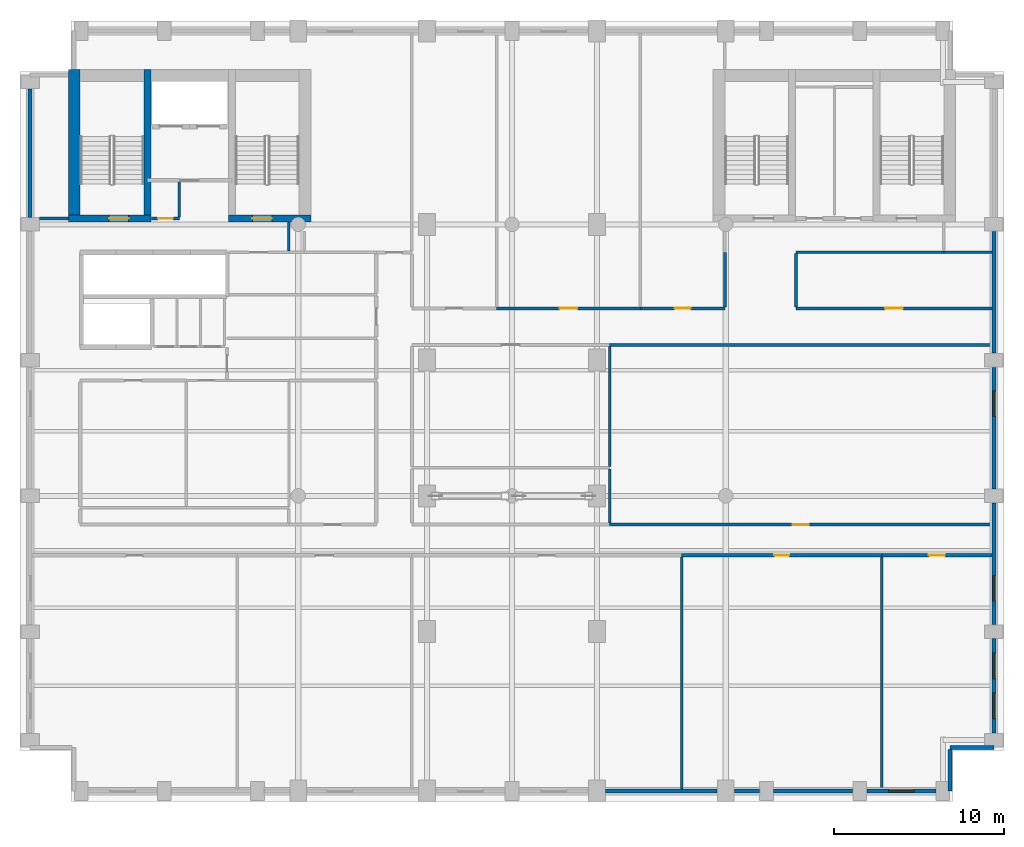
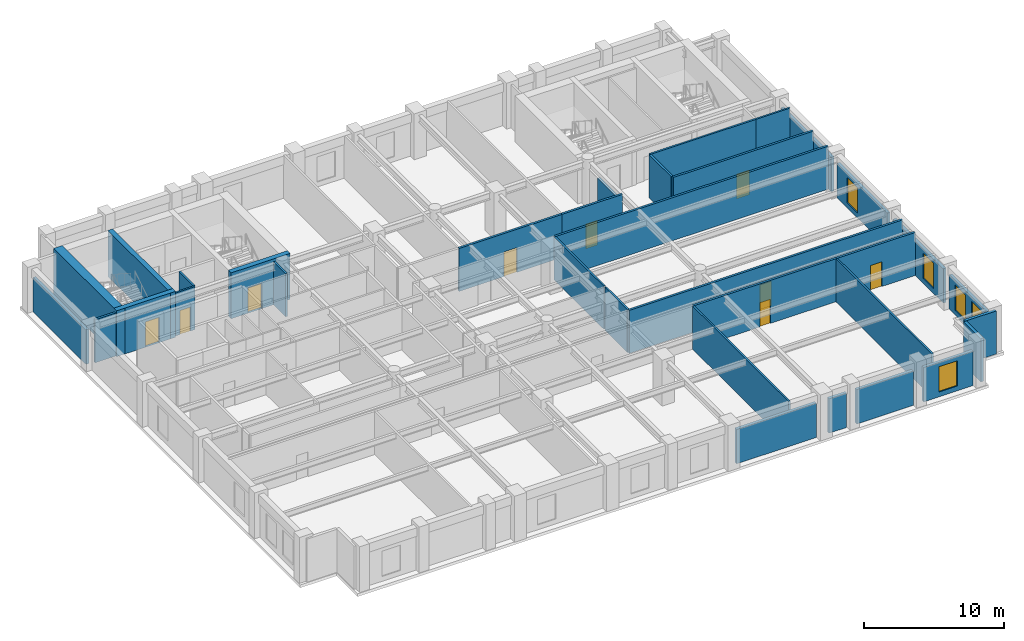
# One storey, part 7 of 11: 34 walls, 9 doors, 5 windows, 14 openings.
"""IFC4 building model written with IfcOpenShell, lengths in metres."""

from ifc_helpers import new_model, si_unit, direction, frame, frame_2d, origin, place, context, subcontext, project, spatial, rectangle, extrude, material, layer, layer_set, type_object, element, fill, save


model = new_model("IFC4")

# Units and contexts
model_context = context("Model", 3, precision=1e-05, world=origin(), true_north=direction((0.0, 1.0)))
body_context = subcontext(model_context, "Body", "Model", "MODEL_VIEW")
ifc_project = project(units=[si_unit("LENGTHUNIT", "METRE"), si_unit("AREAUNIT", "SQUARE_METRE"), si_unit("VOLUMEUNIT", "CUBIC_METRE"), si_unit("PLANEANGLEUNIT", "RADIAN"), si_unit("MASSUNIT", "GRAM", prefix="KILO")], contexts=[model_context])

# Site, building, storey
site_placement = place(None, origin())
site = spatial("IfcSite", under=ifc_project, at=site_placement, CompositionType="ELEMENT")
building_placement = place(site_placement, origin())
building = spatial("IfcBuilding", under=site, at=building_placement, Name="Sulina Concourse Tower", CompositionType="ELEMENT")
storey_placement = place(building_placement, frame((0.0, 0.0, 218.60009765625)))
storey = spatial("IfcBuildingStorey", under=building, at=storey_placement, Name="L53", CompositionType="ELEMENT", Elevation=218.60009765625)

# Walls
ifc_material_1 = material(Name="Precast concrete C50/60", Category="concrete")
ifc_layer_1 = layer(ifc_material_1, 0.239990234375)
ifc_layer_set_1 = layer_set([ifc_layer_1], Name="Precast concrete C50/60")
wall_type_1 = type_object("IfcWallType", Name="Crown Precast Masonry-Frame Facade Wall 240mm", PredefinedType="SOLIDWALL", material=ifc_layer_set_1)
wall_1_placement = place(storey_placement, frame((41.080078125, 0.60009765625, 0.0), z_axis=(0.0, 0.0, 1.0), x_axis=(-1.0, 0.0, 0.0)))
element("IfcWall", 1, at=wall_1_placement, inside=storey, type_object=wall_type_1, Name="L53 exterior precast wall S7", PredefinedType="SOLIDWALL", context=body_context, shape_type="SweptSolid", body=[
    extrude(rectangle(XDim=6.56005859375, YDim=0.239990234375, at=frame_2d((3.280029296875, 0.0))), origin(), (0.0, 0.0, 1.0), 3.0),
])
wall_2_placement = place(storey_placement, frame((43.580078125, 0.60009765625, 0.0), z_axis=(0.0, 0.0, 1.0), x_axis=(-1.0, 0.0, 0.0)))
element("IfcWall", 2, at=wall_2_placement, inside=storey, type_object=wall_type_1, Name="L53 exterior precast wall S8", PredefinedType="SOLIDWALL", context=body_context, shape_type="SweptSolid", body=[
    extrude(rectangle(XDim=1.4599609375, YDim=0.239990234375, at=frame_2d((0.72998046875, 0.0))), origin(), (0.0, 0.0, 1.0), 3.0),
])
wall_3_placement = place(storey_placement, frame((49.080078125, 0.60009765625, 0.0), z_axis=(0.0, 0.0, 1.0), x_axis=(-1.0, 0.0, 0.0)))
element("IfcWall", 3, at=wall_3_placement, inside=storey, type_object=wall_type_1, Name="L53 exterior precast wall S9", PredefinedType="SOLIDWALL", context=body_context, shape_type="SweptSolid", body=[
    extrude(rectangle(XDim=4.66015625, YDim=0.239990234375, at=frame_2d((2.330078125, 0.0))), origin(), (0.0, 0.0, 1.0), 3.0),
])

# Wall, opening, window
wall_4_placement = place(storey_placement, frame((53.97998046875, 0.60009765625, 0.0), z_axis=(0.0, 0.0, 1.0), x_axis=(-1.0, 0.0, 0.0)))
wall_4 = element("IfcWall", 4, at=wall_4_placement, inside=storey, type_object=wall_type_1, Name="L53 exterior precast wall S10", PredefinedType="SOLIDWALL", context=body_context, shape_type="SweptSolid", body=[
    extrude(rectangle(XDim=4.06005859375, YDim=0.239990234375, at=frame_2d((2.030029296875, 0.0))), origin(), (0.0, 0.0, 1.0), 3.0),
])
opening_1_placement = place(wall_4_placement, frame((1.280029296875, 0.0, 0.419921875)))
opening_1 = element("IfcOpeningElement", 5, at=opening_1_placement, cuts=wall_4, Name="Opening WN-71", PredefinedType="OPENING", context=body_context, shape_type="SweptSolid", body=[
    extrude(rectangle(XDim=1.5, YDim=2.199951171875, at=frame_2d((0.75, 1.10009765625))), frame((0.0, 0.1298828125, 0.0), z_axis=(0.0, -1.0, 0.0), x_axis=(1.0, 0.0, 0.0)), (0.0, 0.0, 1.0), 0.260009765625),
])
ifc_material_2 = material(Name="Low-E solar double glazing in bronze aluminium", Category="aluminium")
window_type = type_object("IfcWindowType", Name="Punched Masonry-Frame Window 1500x2200", PartitioningType="SINGLE_PANEL", PredefinedType="WINDOW", material=ifc_material_2)
window_1_placement = place(opening_1_placement, origin())
window_1 = element("IfcWindow", 6, at=window_1_placement, inside=storey, type_object=window_type, Name="L53 punched window S10-1", OverallHeight=2.199951171875, OverallWidth=1.5, PartitioningType="SINGLE_PANEL", PredefinedType="WINDOW", context=body_context, shape_type="SweptSolid", body=[
    extrude(rectangle(XDim=1.5, YDim=2.199951171875, at=frame_2d((0.75, 1.10009765625))), frame((0.0, 0.030029296875, 0.0), z_axis=(0.0, -1.0, 0.0), x_axis=(1.0, 0.0, 0.0)), (0.0, 0.0, 1.0), 0.06005859375),
])
fill(opening_1, window_1)

# Wall
wall_5_placement = place(storey_placement, frame((0.60009765625, 34.419921875, 0.0), z_axis=(0.0, 0.0, 1.0), x_axis=(0.0, 1.0, 0.0)))
element("IfcWall", 7, at=wall_5_placement, inside=storey, type_object=wall_type_1, Name="L53 exterior precast wall W5", PredefinedType="SOLIDWALL", context=body_context, shape_type="SweptSolid", body=[
    extrude(rectangle(XDim=7.56005859375, YDim=0.239990234375, at=frame_2d((3.780029296875, 0.0))), origin(), (0.0, 0.0, 1.0), 3.0),
])

# Wall, openings, windows
wall_6_placement = place(storey_placement, frame((57.39990234375, 9.580078125, 0.0), z_axis=(0.0, 0.0, 1.0), x_axis=(0.0, -1.0, 0.0)))
wall_6 = element("IfcWall", 8, at=wall_6_placement, inside=storey, type_object=wall_type_1, Name="L53 exterior precast wall E1", PredefinedType="SOLIDWALL", context=body_context, shape_type="SweptSolid", body=[
    extrude(rectangle(XDim=5.56005859375, YDim=0.239990234375, at=frame_2d((2.780029296875, 0.0))), origin(), (0.0, 0.0, 1.0), 3.0),
])
opening_2_placement = place(wall_6_placement, frame((0.853271484375, 0.0, 0.419921875)))
opening_2 = element("IfcOpeningElement", 9, at=opening_2_placement, cuts=wall_6, Name="Opening WN-71", PredefinedType="OPENING", context=body_context, shape_type="SweptSolid", body=[
    extrude(rectangle(XDim=1.5, YDim=2.199951171875, at=frame_2d((0.75, 1.10009765625))), frame((0.0, 0.1298828125, 0.0), z_axis=(0.0, -1.0, 0.0), x_axis=(1.0, 0.0, 0.0)), (0.0, 0.0, 1.0), 0.260009765625),
])
opening_3_placement = place(wall_6_placement, frame((3.206787109375, 0.0, 0.419921875)))
opening_3 = element("IfcOpeningElement", 10, at=opening_3_placement, cuts=wall_6, Name="Opening WN-71", PredefinedType="OPENING", context=body_context, shape_type="SweptSolid", body=[
    extrude(rectangle(XDim=1.5, YDim=2.199951171875, at=frame_2d((0.75, 1.10009765625))), frame((0.0, 0.1298828125, 0.0), z_axis=(0.0, -1.0, 0.0), x_axis=(1.0, 0.0, 0.0)), (0.0, 0.0, 1.0), 0.260009765625),
])
window_2_placement = place(opening_2_placement, origin())
window_2 = element("IfcWindow", 11, at=window_2_placement, inside=storey, type_object=window_type, Name="L53 punched window E1-1", OverallHeight=2.199951171875, OverallWidth=1.5, PartitioningType="SINGLE_PANEL", PredefinedType="WINDOW", context=body_context, shape_type="SweptSolid", body=[
    extrude(rectangle(XDim=1.5, YDim=2.199951171875, at=frame_2d((0.75, 1.10009765625))), frame((0.0, 0.030029296875, 0.0), z_axis=(0.0, -1.0, 0.0), x_axis=(1.0, 0.0, 0.0)), (0.0, 0.0, 1.0), 0.06005859375),
])
fill(opening_2, window_2)
window_3_placement = place(opening_3_placement, origin())
window_3 = element("IfcWindow", 12, at=window_3_placement, inside=storey, type_object=window_type, Name="L53 punched window E1-2", OverallHeight=2.199951171875, OverallWidth=1.5, PartitioningType="SINGLE_PANEL", PredefinedType="WINDOW", context=body_context, shape_type="SweptSolid", body=[
    extrude(rectangle(XDim=1.5, YDim=2.199951171875, at=frame_2d((0.75, 1.10009765625))), frame((0.0, 0.030029296875, 0.0), z_axis=(0.0, -1.0, 0.0), x_axis=(1.0, 0.0, 0.0)), (0.0, 0.0, 1.0), 0.06005859375),
])
fill(opening_3, window_3)

# Wall, opening, window
wall_7_placement = place(storey_placement, frame((57.39990234375, 17.580078125, 0.0), z_axis=(0.0, 0.0, 1.0), x_axis=(0.0, -1.0, 0.0)))
wall_7 = element("IfcWall", 13, at=wall_7_placement, inside=storey, type_object=wall_type_1, Name="L53 exterior precast wall E2", PredefinedType="SOLIDWALL", context=body_context, shape_type="SweptSolid", body=[
    extrude(rectangle(XDim=7.16015625, YDim=0.239990234375, at=frame_2d((3.580078125, 0.0))), origin(), (0.0, 0.0, 1.0), 3.0),
])
opening_4_placement = place(wall_7_placement, frame((4.273193359375, 0.0, 0.419921875)))
opening_4 = element("IfcOpeningElement", 14, at=opening_4_placement, cuts=wall_7, Name="Opening WN-71", PredefinedType="OPENING", context=body_context, shape_type="SweptSolid", body=[
    extrude(rectangle(XDim=1.5, YDim=2.199951171875, at=frame_2d((0.75, 1.10009765625))), frame((0.0, 0.1298828125, 0.0), z_axis=(0.0, -1.0, 0.0), x_axis=(1.0, 0.0, 0.0)), (0.0, 0.0, 1.0), 0.260009765625),
])
window_4_placement = place(opening_4_placement, origin())
window_4 = element("IfcWindow", 15, at=window_4_placement, inside=storey, type_object=window_type, Name="L53 punched window E2-1", OverallHeight=2.199951171875, OverallWidth=1.5, PartitioningType="SINGLE_PANEL", PredefinedType="WINDOW", context=body_context, shape_type="SweptSolid", body=[
    extrude(rectangle(XDim=1.5, YDim=2.199951171875, at=frame_2d((0.75, 1.10009765625))), frame((0.0, 0.030029296875, 0.0), z_axis=(0.0, -1.0, 0.0), x_axis=(1.0, 0.0, 0.0)), (0.0, 0.0, 1.0), 0.06005859375),
])
fill(opening_4, window_4)

wall_8_placement = place(storey_placement, frame((57.39990234375, 25.580078125, 0.0), z_axis=(0.0, 0.0, 1.0), x_axis=(0.0, -1.0, 0.0)))
wall_8 = element("IfcWall", 16, at=wall_8_placement, inside=storey, type_object=wall_type_1, Name="L53 exterior precast wall E3", PredefinedType="SOLIDWALL", context=body_context, shape_type="SweptSolid", body=[
    extrude(rectangle(XDim=7.16015625, YDim=0.239990234375, at=frame_2d((3.580078125, 0.0))), origin(), (0.0, 0.0, 1.0), 3.0),
])
opening_5_placement = place(wall_8_placement, frame((1.38671875, 0.0, 0.419921875)))
opening_5 = element("IfcOpeningElement", 17, at=opening_5_placement, cuts=wall_8, Name="Opening WN-71", PredefinedType="OPENING", context=body_context, shape_type="SweptSolid", body=[
    extrude(rectangle(XDim=1.5, YDim=2.199951171875, at=frame_2d((0.75, 1.10009765625))), frame((0.0, 0.1298828125, 0.0), z_axis=(0.0, -1.0, 0.0), x_axis=(1.0, 0.0, 0.0)), (0.0, 0.0, 1.0), 0.260009765625),
])
window_5_placement = place(opening_5_placement, origin())
window_5 = element("IfcWindow", 18, at=window_5_placement, inside=storey, type_object=window_type, Name="L53 punched window E3-1", OverallHeight=2.199951171875, OverallWidth=1.5, PartitioningType="SINGLE_PANEL", PredefinedType="WINDOW", context=body_context, shape_type="SweptSolid", body=[
    extrude(rectangle(XDim=1.5, YDim=2.199951171875, at=frame_2d((0.75, 1.10009765625))), frame((0.0, 0.030029296875, 0.0), z_axis=(0.0, -1.0, 0.0), x_axis=(1.0, 0.0, 0.0)), (0.0, 0.0, 1.0), 0.06005859375),
])
fill(opening_5, window_5)

# Walls
wall_9_placement = place(storey_placement, frame((57.39990234375, 33.580078125, 0.0), z_axis=(0.0, 0.0, 1.0), x_axis=(0.0, -1.0, 0.0)))
element("IfcWall", 19, at=wall_9_placement, inside=storey, type_object=wall_type_1, Name="L53 exterior precast wall E4", PredefinedType="SOLIDWALL", context=body_context, shape_type="SweptSolid", body=[
    extrude(rectangle(XDim=7.16015625, YDim=0.239990234375, at=frame_2d((3.580078125, 0.0))), origin(), (0.0, 0.0, 1.0), 3.0),
])
wall_10_placement = place(storey_placement, frame((57.39990234375, 3.179931640625, 0.0), z_axis=(0.0, 0.0, 1.0), x_axis=(-1.0, 0.0, 0.0)))
element("IfcWall", 20, at=wall_10_placement, inside=storey, type_object=wall_type_1, Name="L53 exterior precast wall CSE1", PredefinedType="SOLIDWALL", context=body_context, shape_type="SweptSolid", body=[
    extrude(rectangle(XDim=2.579833984375, YDim=0.239990234375, at=frame_2d((1.2900390625, 0.0))), origin(), (0.0, 0.0, 1.0), 3.75),
])
wall_11_placement = place(storey_placement, frame((54.820068359375, 3.054931640625, 0.0), z_axis=(0.0, 0.0, 1.0), x_axis=(0.0, -1.0, 0.0)))
element("IfcWall", 21, at=wall_11_placement, inside=storey, type_object=wall_type_1, Name="L53 exterior precast wall CSE2", PredefinedType="SOLIDWALL", context=body_context, shape_type="SweptSolid", body=[
    extrude(rectangle(XDim=2.454833984375, YDim=0.239990234375, at=frame_2d((1.2275390625, 0.0))), origin(), (0.0, 0.0, 1.0), 3.75),
])
ifc_material_3 = material(Name="Gypsum board on steel stud", Category="steel")
ifc_layer_2 = layer(ifc_material_3, 0.14990234375)
ifc_layer_set_2 = layer_set([ifc_layer_2], Name="Gypsum board on steel stud")
wall_type_2 = type_object("IfcWallType", Name="Inter-Tenancy Acoustic Partition 150mm", PredefinedType="PARTITIONING", material=ifc_layer_set_2)
wall_12_placement = place(storey_placement, frame((45.75, 32.35009765625, 0.0), z_axis=(0.0, 0.0, 1.0), x_axis=(1.0, 0.0, 0.0)))
element("IfcWall", 22, at=wall_12_placement, inside=storey, type_object=wall_type_2, Name="L53 interior partition 032", PredefinedType="PARTITIONING", context=body_context, shape_type="SweptSolid", body=[
    extrude(rectangle(XDim=8.699951171875, YDim=0.14990234375, at=frame_2d((4.35009765625, 0.0))), origin(), (0.0, 0.0, 1.0), 3.75),
])
wall_13_placement = place(storey_placement, frame((54.449951171875, 32.35009765625, 0.0), z_axis=(0.0, 0.0, 1.0), x_axis=(1.0, 0.0, 0.0)))
element("IfcWall", 23, at=wall_13_placement, inside=storey, type_object=wall_type_2, Name="L53 interior partition 033", PredefinedType="PARTITIONING", context=body_context, shape_type="SweptSolid", body=[
    extrude(rectangle(XDim=2.830078125, YDim=0.14990234375, at=frame_2d((1.4150390625, 0.0))), origin(), (0.0, 0.0, 1.0), 3.75),
])

# Wall, opening, door
wall_14_placement = place(storey_placement, frame((7.75, 34.35009765625, 0.0), z_axis=(0.0, 0.0, 1.0), x_axis=(1.0, 0.0, 0.0)))
wall_14 = element("IfcWall", 24, at=wall_14_placement, inside=storey, type_object=wall_type_2, Name="L53 interior partition 035", PredefinedType="PARTITIONING", context=body_context, shape_type="SweptSolid", body=[
    extrude(rectangle(XDim=1.64990234375, YDim=0.14990234375, at=frame_2d((0.824951171875, 0.0))), origin(), (0.0, 0.0, 1.0), 3.75),
])
opening_6_placement = place(wall_14_placement, frame((0.385009765625, 0.0, 0.0)))
opening_6 = element("IfcOpeningElement", 25, at=opening_6_placement, cuts=wall_14, Name="Opening DR-38", PredefinedType="OPENING", context=body_context, shape_type="SweptSolid", body=[
    extrude(rectangle(XDim=0.8798828125, YDim=2.10009765625, at=frame_2d((0.43994140625, 1.050048828125))), frame((0.0, 0.0849609375, 0.0), z_axis=(0.0, -1.0, 0.0), x_axis=(1.0, 0.0, 0.0)), (0.0, 0.0, 1.0), 0.169921875),
])
ifc_material_4 = material(Name="Galvanised steel acoustic fire leaf", Category="steel")
ifc_layer_3 = layer(ifc_material_4, 0.050048828125)
ifc_layer_set_3 = layer_set([ifc_layer_3], Name="Galvanised steel acoustic fire leaf")
door_type_1 = type_object("IfcDoorType", Name="Service Riser Fire Door 880x2100", OperationType="NOTDEFINED", PredefinedType="DOOR", material=ifc_layer_set_3)
door_1_placement = place(opening_6_placement, origin())
door_1 = element("IfcDoor", 26, at=door_1_placement, inside=storey, type_object=door_type_1, Name="L53 interior door L53-CLN-N", OperationType="SINGLE_SWING_RIGHT", OverallHeight=2.10009765625, OverallWidth=0.8798828125, PredefinedType="DOOR", context=body_context, shape_type="SweptSolid", body=[
    extrude(rectangle(XDim=0.8798828125, YDim=2.10009765625, at=frame_2d((0.43994140625, 1.050048828125))), frame((0.0, 0.02490234375, 0.0), z_axis=(0.0, -1.0, 0.0), x_axis=(1.0, 0.0, 0.0)), (0.0, 0.0, 1.0), 0.050048828125),
])
fill(opening_6, door_1)

# Walls
wall_15_placement = place(storey_placement, frame((9.39990234375, 34.425048828125, 0.0), z_axis=(0.0, 0.0, 1.0), x_axis=(0.0, 1.0, 0.0)))
element("IfcWall", 27, at=wall_15_placement, inside=storey, type_object=wall_type_2, Name="L53 interior partition 041", PredefinedType="PARTITIONING", context=body_context, shape_type="SweptSolid", body=[
    extrude(rectangle(XDim=2.06494140625, YDim=0.14990234375, at=frame_2d((1.032470703125, 0.0))), origin(), (0.0, 0.0, 1.0), 3.75),
])
wall_16_placement = place(storey_placement, frame((15.85009765625, 32.425048828125, 0.0), z_axis=(0.0, 0.0, 1.0), x_axis=(0.0, 1.0, 0.0)))
element("IfcWall", 28, at=wall_16_placement, inside=storey, type_object=wall_type_2, Name="L53 interior partition 049", PredefinedType="PARTITIONING", context=body_context, shape_type="SweptSolid", body=[
    extrude(rectangle(XDim=1.724853515625, YDim=0.14990234375, at=frame_2d((0.8623046875, 0.0))), origin(), (0.0, 0.0, 1.0), 3.75),
])
wall_17_placement = place(storey_placement, frame((34.75, 16.389892578125, 0.0), z_axis=(0.0, 0.0, 1.0), x_axis=(0.0, 1.0, 0.0)))
element("IfcWall", 29, at=wall_17_placement, inside=storey, type_object=wall_type_2, Name="L53 interior partition 061", PredefinedType="PARTITIONING", context=body_context, shape_type="SweptSolid", body=[
    extrude(rectangle(XDim=3.18505859375, YDim=0.14990234375, at=frame_2d((1.592529296875, 0.0))), origin(), (0.0, 0.0, 1.0), 3.75),
])
wall_18_placement = place(storey_placement, frame((34.75, 19.72509765625, 0.0), z_axis=(0.0, 0.0, 1.0), x_axis=(0.0, 1.0, 0.0)))
element("IfcWall", 30, at=wall_18_placement, inside=storey, type_object=wall_type_2, Name="L53 interior partition 062", PredefinedType="PARTITIONING", context=body_context, shape_type="SweptSolid", body=[
    extrude(rectangle(XDim=7.0849609375, YDim=0.14990234375, at=frame_2d((3.54248046875, 0.0))), origin(), (0.0, 0.0, 1.0), 3.75),
])
for number, where, z_axis, x_axis, name in (
    (31, (39.0, 0.719970703125, 0.0), (0.0, 0.0, 1.0), (0.0, 1.0, 0.0), "L53 interior partition 064"),
    (32, (50.800048828125, 0.719970703125, 0.0), (0.0, 0.0, 1.0), (0.0, 1.0, 0.0), "L53 interior partition 070"),
):
    element("IfcWall", number, at=place(storey_placement, frame(where, z_axis=z_axis, x_axis=x_axis)), inside=storey, type_object=wall_type_2, Name=name, PredefinedType="PARTITIONING", context=body_context, shape_type="SweptSolid", body=[
        extrude(rectangle(XDim=13.68994140625, YDim=0.14990234375, at=frame_2d((6.844970703125, 0.0))), origin(), (0.0, 0.0, 1.0), 3.75),
    ])

# Wall, opening, door
ifc_material_5 = material(Name="Gypsum board on steel stud", Category="steel")
ifc_layer_4 = layer(ifc_material_5, 0.179931640625)
ifc_layer_set_4 = layer_set([ifc_layer_4], Name="Gypsum board on steel stud")
wall_type_3 = type_object("IfcWallType", Name="Protected Corridor & Riser Partition 180mm", PredefinedType="PARTITIONING", material=ifc_layer_set_4)
wall_19_placement = place(storey_placement, frame((39.0, 14.5, 0.0), z_axis=(0.0, 0.0, 1.0), x_axis=(1.0, 0.0, 0.0)))
wall_19 = element("IfcWall", 33, at=wall_19_placement, inside=storey, type_object=wall_type_3, Name="L53 interior partition 004", PredefinedType="PARTITIONING", context=body_context, shape_type="SweptSolid", body=[
    extrude(rectangle(XDim=11.800048828125, YDim=0.179931640625, at=frame_2d((5.89990234375, 0.0))), origin(), (0.0, 0.0, 1.0), 3.75),
])
opening_7_placement = place(wall_19_placement, frame((5.4599609375, 0.0, 0.0)))
opening_7 = element("IfcOpeningElement", 34, at=opening_7_placement, cuts=wall_19, Name="Opening DR-38", PredefinedType="OPENING", context=body_context, shape_type="SweptSolid", body=[
    extrude(rectangle(XDim=0.8798828125, YDim=2.10009765625, at=frame_2d((0.43994140625, 1.050048828125))), frame((0.0, 0.099853515625, 0.0), z_axis=(0.0, -1.0, 0.0), x_axis=(1.0, 0.0, 0.0)), (0.0, 0.0, 1.0), 0.199951171875),
])
door_2_placement = place(opening_7_placement, origin())
door_2 = element("IfcDoor", 35, at=door_2_placement, inside=storey, type_object=door_type_1, Name="L53 interior door L53-S04", OperationType="SINGLE_SWING_RIGHT", OverallHeight=2.10009765625, OverallWidth=0.8798828125, PredefinedType="DOOR", context=body_context, shape_type="SweptSolid", body=[
    extrude(rectangle(XDim=0.8798828125, YDim=2.10009765625, at=frame_2d((0.43994140625, 1.050048828125))), frame((0.0, 0.02490234375, 0.0), z_axis=(0.0, -1.0, 0.0), x_axis=(1.0, 0.0, 0.0)), (0.0, 0.0, 1.0), 0.050048828125),
])
fill(opening_7, door_2)

wall_20_placement = place(storey_placement, frame((50.800048828125, 14.5, 0.0), z_axis=(0.0, 0.0, 1.0), x_axis=(1.0, 0.0, 0.0)))
wall_20 = element("IfcWall", 36, at=wall_20_placement, inside=storey, type_object=wall_type_3, Name="L53 interior partition 005", PredefinedType="PARTITIONING", context=body_context, shape_type="SweptSolid", body=[
    extrude(rectangle(XDim=6.47998046875, YDim=0.179931640625, at=frame_2d((3.239990234375, 0.0))), origin(), (0.0, 0.0, 1.0), 3.75),
])
opening_8_placement = place(wall_20_placement, frame((2.764892578125, 0.0, 0.0)))
opening_8 = element("IfcOpeningElement", 37, at=opening_8_placement, cuts=wall_20, Name="Opening DR-19", PredefinedType="OPENING", context=body_context, shape_type="SweptSolid", body=[
    extrude(rectangle(XDim=0.949951171875, YDim=2.14990234375, at=frame_2d((0.47509765625, 1.074951171875))), frame((0.0, 0.099853515625, 0.0), z_axis=(0.0, -1.0, 0.0), x_axis=(1.0, 0.0, 0.0)), (0.0, 0.0, 1.0), 0.199951171875),
])
ifc_material_6 = material(Name="Oak-veneered acoustic timber leaf", Category="wood")
ifc_layer_5 = layer(ifc_material_6, 0.050048828125)
ifc_layer_set_5 = layer_set([ifc_layer_5], Name="Oak-veneered acoustic timber leaf")
door_type_2 = type_object("IfcDoorType", Name="Cellular Office & Meeting Door 950x2150", OperationType="NOTDEFINED", PredefinedType="DOOR", material=ifc_layer_set_5)
door_3_placement = place(opening_8_placement, origin())
door_3 = element("IfcDoor", 38, at=door_3_placement, inside=storey, type_object=door_type_2, Name="L53 interior door L53-S05", OperationType="SINGLE_SWING_LEFT", OverallHeight=2.14990234375, OverallWidth=0.949951171875, PredefinedType="DOOR", context=body_context, shape_type="SweptSolid", body=[
    extrude(rectangle(XDim=0.949951171875, YDim=2.14990234375, at=frame_2d((0.47509765625, 1.074951171875))), frame((0.0, 0.02490234375, 0.0), z_axis=(0.0, -1.0, 0.0), x_axis=(1.0, 0.0, 0.0)), (0.0, 0.0, 1.0), 0.050048828125),
])
fill(opening_8, door_3)

wall_21_placement = place(storey_placement, frame((34.75, 16.300048828125, 0.0), z_axis=(0.0, 0.0, 1.0), x_axis=(1.0, 0.0, 0.0)))
wall_21 = element("IfcWall", 39, at=wall_21_placement, inside=storey, type_object=wall_type_3, Name="L53 interior partition 009", PredefinedType="PARTITIONING", context=body_context, shape_type="SweptSolid", body=[
    extrude(rectangle(XDim=22.530029296875, YDim=0.179931640625, at=frame_2d((11.26513671875, 0.0))), origin(), (0.0, 0.0, 1.0), 3.75),
])
opening_9_placement = place(wall_21_placement, frame((10.7900390625, 0.0, 0.0)))
opening_9 = element("IfcOpeningElement", 40, at=opening_9_placement, cuts=wall_21, Name="Opening DR-19", PredefinedType="OPENING", context=body_context, shape_type="SweptSolid", body=[
    extrude(rectangle(XDim=0.949951171875, YDim=2.14990234375, at=frame_2d((0.47509765625, 1.074951171875))), frame((0.0, 0.099853515625, 0.0), z_axis=(0.0, -1.0, 0.0), x_axis=(1.0, 0.0, 0.0)), (0.0, 0.0, 1.0), 0.199951171875),
])
door_4_placement = place(opening_9_placement, origin())
door_4 = element("IfcDoor", 41, at=door_4_placement, inside=storey, type_object=door_type_2, Name="L53 interior door L53-UBT-ERM", OperationType="SINGLE_SWING_LEFT", OverallHeight=2.14990234375, OverallWidth=0.949951171875, PredefinedType="DOOR", context=body_context, shape_type="SweptSolid", body=[
    extrude(rectangle(XDim=0.949951171875, YDim=2.14990234375, at=frame_2d((0.47509765625, 1.074951171875))), frame((0.0, 0.02490234375, 0.0), z_axis=(0.0, -1.0, 0.0), x_axis=(1.0, 0.0, 0.0)), (0.0, 0.0, 1.0), 0.050048828125),
])
fill(opening_9, door_4)

# Wall
wall_22_placement = place(storey_placement, frame((34.75, 26.89990234375, 0.0), z_axis=(0.0, 0.0, 1.0), x_axis=(1.0, 0.0, 0.0)))
element("IfcWall", 42, at=wall_22_placement, inside=storey, type_object=wall_type_3, Name="L53 interior partition 021", PredefinedType="PARTITIONING", context=body_context, shape_type="SweptSolid", body=[
    extrude(rectangle(XDim=22.530029296875, YDim=0.179931640625, at=frame_2d((11.26513671875, 0.0))), origin(), (0.0, 0.0, 1.0), 3.75),
])

# Wall, opening, door
wall_23_placement = place(storey_placement, frame((28.090087890625, 29.050048828125, 0.0), z_axis=(0.0, 0.0, 1.0), x_axis=(1.0, 0.0, 0.0)))
wall_23 = element("IfcWall", 43, at=wall_23_placement, inside=storey, type_object=wall_type_3, Name="L53 interior partition 024", PredefinedType="PARTITIONING", context=body_context, shape_type="SweptSolid", body=[
    extrude(rectangle(XDim=8.469970703125, YDim=0.179931640625, at=frame_2d((4.23486328125, 0.0))), origin(), (0.0, 0.0, 1.0), 3.75),
])
opening_10_placement = place(wall_23_placement, frame((3.7099609375, 0.0, 0.0)))
opening_10 = element("IfcOpeningElement", 44, at=opening_10_placement, cuts=wall_23, Name="Opening DR-37", PredefinedType="OPENING", context=body_context, shape_type="SweptSolid", body=[
    extrude(rectangle(XDim=1.050048828125, YDim=2.14990234375, at=frame_2d((0.52490234375, 1.074951171875))), frame((0.0, 0.099853515625, 0.0), z_axis=(0.0, -1.0, 0.0), x_axis=(1.0, 0.0, 0.0)), (0.0, 0.0, 1.0), 0.199951171875),
])
ifc_material_7 = material(Name="Oak-veneered fire door leaf")
ifc_layer_6 = layer(ifc_material_7, 0.050048828125)
ifc_layer_set_6 = layer_set([ifc_layer_6], Name="Oak-veneered fire door leaf")
door_type_3 = type_object("IfcDoorType", Name="Tenant Suite Entrance Fire Door 1050x2150", OperationType="NOTDEFINED", PredefinedType="DOOR", material=ifc_layer_set_6)
door_5_placement = place(opening_10_placement, origin())
door_5 = element("IfcDoor", 45, at=door_5_placement, inside=storey, type_object=door_type_3, Name="L53 interior door L53-NC2", OperationType="SINGLE_SWING_LEFT", OverallHeight=2.14990234375, OverallWidth=1.050048828125, PredefinedType="DOOR", context=body_context, shape_type="SweptSolid", body=[
    extrude(rectangle(XDim=1.050048828125, YDim=2.14990234375, at=frame_2d((0.52490234375, 1.074951171875))), frame((0.0, 0.02490234375, 0.0), z_axis=(0.0, -1.0, 0.0), x_axis=(1.0, 0.0, 0.0)), (0.0, 0.0, 1.0), 0.050048828125),
])
fill(opening_10, door_5)

wall_24_placement = place(storey_placement, frame((36.56005859375, 29.050048828125, 0.0), z_axis=(0.0, 0.0, 1.0), x_axis=(1.0, 0.0, 0.0)))
wall_24 = element("IfcWall", 46, at=wall_24_placement, inside=storey, type_object=wall_type_3, Name="L53 interior partition 025", PredefinedType="PARTITIONING", context=body_context, shape_type="SweptSolid", body=[
    extrude(rectangle(XDim=4.989990234375, YDim=0.179931640625, at=frame_2d((2.4951171875, 0.0))), origin(), (0.0, 0.0, 1.0), 3.75),
])
opening_11_placement = place(wall_24_placement, frame((2.02001953125, 0.0, 0.0)))
opening_11 = element("IfcOpeningElement", 47, at=opening_11_placement, cuts=wall_24, Name="Opening DR-19", PredefinedType="OPENING", context=body_context, shape_type="SweptSolid", body=[
    extrude(rectangle(XDim=0.949951171875, YDim=2.14990234375, at=frame_2d((0.47509765625, 1.074951171875))), frame((0.0, 0.099853515625, 0.0), z_axis=(0.0, -1.0, 0.0), x_axis=(1.0, 0.0, 0.0)), (0.0, 0.0, 1.0), 0.199951171875),
])
door_6_placement = place(opening_11_placement, origin())
door_6 = element("IfcDoor", 48, at=door_6_placement, inside=storey, type_object=door_type_2, Name="L53 interior door L53-NC3", OperationType="SINGLE_SWING_RIGHT", OverallHeight=2.14990234375, OverallWidth=0.949951171875, PredefinedType="DOOR", context=body_context, shape_type="SweptSolid", body=[
    extrude(rectangle(XDim=0.949951171875, YDim=2.14990234375, at=frame_2d((0.47509765625, 1.074951171875))), frame((0.0, 0.02490234375, 0.0), z_axis=(0.0, -1.0, 0.0), x_axis=(1.0, 0.0, 0.0)), (0.0, 0.0, 1.0), 0.050048828125),
])
fill(opening_11, door_6)

wall_25_placement = place(storey_placement, frame((45.75, 29.050048828125, 0.0), z_axis=(0.0, 0.0, 1.0), x_axis=(1.0, 0.0, 0.0)))
wall_25 = element("IfcWall", 49, at=wall_25_placement, inside=storey, type_object=wall_type_3, Name="L53 interior partition 026", PredefinedType="PARTITIONING", context=body_context, shape_type="SweptSolid", body=[
    extrude(rectangle(XDim=11.530029296875, YDim=0.179931640625, at=frame_2d((5.76513671875, 0.0))), origin(), (0.0, 0.0, 1.0), 3.75),
])
opening_12_placement = place(wall_25_placement, frame((5.239990234375, 0.0, 0.0)))
opening_12 = element("IfcOpeningElement", 50, at=opening_12_placement, cuts=wall_25, Name="Opening DR-37", PredefinedType="OPENING", context=body_context, shape_type="SweptSolid", body=[
    extrude(rectangle(XDim=1.050048828125, YDim=2.14990234375, at=frame_2d((0.52490234375, 1.074951171875))), frame((0.0, 0.099853515625, 0.0), z_axis=(0.0, -1.0, 0.0), x_axis=(1.0, 0.0, 0.0)), (0.0, 0.0, 1.0), 0.199951171875),
])
door_7_placement = place(opening_12_placement, origin())
door_7 = element("IfcDoor", 51, at=door_7_placement, inside=storey, type_object=door_type_3, Name="L53 interior door L53-NE1", OperationType="SINGLE_SWING_LEFT", OverallHeight=2.14990234375, OverallWidth=1.050048828125, PredefinedType="DOOR", context=body_context, shape_type="SweptSolid", body=[
    extrude(rectangle(XDim=1.050048828125, YDim=2.14990234375, at=frame_2d((0.52490234375, 1.074951171875))), frame((0.0, 0.02490234375, 0.0), z_axis=(0.0, -1.0, 0.0), x_axis=(1.0, 0.0, 0.0)), (0.0, 0.0, 1.0), 0.050048828125),
])
fill(opening_12, door_7)

# Walls
wall_26_placement = place(storey_placement, frame((1.14990234375, 34.35009765625, 0.0), z_axis=(0.0, 0.0, 1.0), x_axis=(1.0, 0.0, 0.0)))
element("IfcWall", 52, at=wall_26_placement, inside=storey, type_object=wall_type_3, Name="L53 interior partition 034", PredefinedType="PARTITIONING", context=body_context, shape_type="SweptSolid", body=[
    extrude(rectangle(XDim=1.7001953125, YDim=0.179931640625, at=frame_2d((0.85009765625, 0.0))), origin(), (0.0, 0.0, 1.0), 3.75),
])
wall_27_placement = place(storey_placement, frame((41.550048828125, 29.139892578125, 0.0), z_axis=(0.0, 0.0, 1.0), x_axis=(0.0, 1.0, 0.0)))
element("IfcWall", 53, at=wall_27_placement, inside=storey, type_object=wall_type_3, Name="L53 interior partition 065", PredefinedType="PARTITIONING", context=body_context, shape_type="SweptSolid", body=[
    extrude(rectangle(XDim=3.210205078125, YDim=0.179931640625, at=frame_2d((1.60498046875, 0.0))), origin(), (0.0, 0.0, 1.0), 3.14501953125),
])
wall_28_placement = place(storey_placement, frame((45.75, 29.139892578125, 0.0), z_axis=(0.0, 0.0, 1.0), x_axis=(0.0, 1.0, 0.0)))
element("IfcWall", 54, at=wall_28_placement, inside=storey, type_object=wall_type_3, Name="L53 interior partition 068", PredefinedType="PARTITIONING", context=body_context, shape_type="SweptSolid", body=[
    extrude(rectangle(XDim=3.135009765625, YDim=0.179931640625, at=frame_2d((1.5673828125, 0.0))), origin(), (0.0, 0.0, 1.0), 3.75),
])

# Wall, opening, door
ifc_material_8 = material(Name="Concrete C60/75", Category="concrete")
ifc_layer_7 = layer(ifc_material_8, 0.39990234375)
ifc_layer_set_7 = layer_set([ifc_layer_7], Name="Concrete C60/75")
wall_type_4 = type_object("IfcWallType", Name="Protected Stair Core Shear Wall 400mm", PredefinedType="SHEAR", material=ifc_layer_set_7)
wall_29_placement = place(storey_placement, frame((2.85009765625, 34.35009765625, 0.0), z_axis=(0.0, 0.0, 1.0), x_axis=(1.0, 0.0, 0.0)))
wall_29 = element("IfcWall", 55, at=wall_29_placement, inside=storey, type_object=wall_type_4, Name="L53 west core shear wall CW-WS1", PredefinedType="SHEAR", context=body_context, shape_type="SweptSolid", body=[
    extrude(rectangle(XDim=4.85986328125, YDim=0.39990234375, at=frame_2d((2.429931640625, 0.0))), origin(), (0.0, 0.0, 1.0), 4.0),
])
opening_13_placement = place(wall_29_placement, frame((2.39990234375, 0.0, 0.0)))
opening_13 = element("IfcOpeningElement", 56, at=opening_13_placement, cuts=wall_29, Name="Opening DR-60", PredefinedType="OPENING", context=body_context, shape_type="SweptSolid", body=[
    extrude(rectangle(XDim=1.14990234375, YDim=2.199951171875, at=frame_2d((0.574951171875, 1.10009765625))), frame((0.0, 0.2099609375, 0.0), z_axis=(0.0, -1.0, 0.0), x_axis=(1.0, 0.0, 0.0)), (0.0, 0.0, 1.0), 0.419921875),
])
ifc_material_9 = material(Name="Galvanised steel acoustic fire leaf", Category="steel")
ifc_layer_8 = layer(ifc_material_9, 0.054931640625)
ifc_layer_set_8 = layer_set([ifc_layer_8], Name="Galvanised steel acoustic fire leaf")
door_type_4 = type_object("IfcDoorType", Name="Protected Exit Stair Fire Door 1150x2200", OperationType="NOTDEFINED", PredefinedType="DOOR", material=ifc_layer_set_8)
door_8_placement = place(opening_13_placement, origin())
door_8 = element("IfcDoor", 57, at=door_8_placement, inside=storey, type_object=door_type_4, Name="L53 stair ST-1 lobby fire door", OperationType="SINGLE_SWING_RIGHT", OverallHeight=2.199951171875, OverallWidth=1.14990234375, PredefinedType="DOOR", context=body_context, shape_type="SweptSolid", body=[
    extrude(rectangle(XDim=1.14990234375, YDim=2.199951171875, at=frame_2d((0.574951171875, 1.10009765625))), frame((0.0, 0.02490234375, 0.0), z_axis=(0.0, -1.0, 0.0), x_axis=(1.0, 0.0, 0.0)), (0.0, 0.0, 1.0), 0.050048828125),
])
fill(opening_13, door_8)

wall_30_placement = place(storey_placement, frame((12.2900390625, 34.35009765625, 0.0), z_axis=(0.0, 0.0, 1.0), x_axis=(1.0, 0.0, 0.0)))
wall_30 = element("IfcWall", 58, at=wall_30_placement, inside=storey, type_object=wall_type_4, Name="L53 west core shear wall CW-WS2", PredefinedType="SHEAR", context=body_context, shape_type="SweptSolid", body=[
    extrude(rectangle(XDim=4.85986328125, YDim=0.39990234375, at=frame_2d((2.429931640625, 0.0))), origin(), (0.0, 0.0, 1.0), 4.0),
])
opening_14_placement = place(wall_30_placement, frame((1.39990234375, 0.0, 0.0)))
opening_14 = element("IfcOpeningElement", 59, at=opening_14_placement, cuts=wall_30, Name="Opening DR-60", PredefinedType="OPENING", context=body_context, shape_type="SweptSolid", body=[
    extrude(rectangle(XDim=1.14990234375, YDim=2.199951171875, at=frame_2d((0.574951171875, 1.10009765625))), frame((0.0, 0.2099609375, 0.0), z_axis=(0.0, -1.0, 0.0), x_axis=(1.0, 0.0, 0.0)), (0.0, 0.0, 1.0), 0.419921875),
])
door_9_placement = place(opening_14_placement, origin())
door_9 = element("IfcDoor", 60, at=door_9_placement, inside=storey, type_object=door_type_4, Name="L53 stair ST-2 lobby fire door", OperationType="SINGLE_SWING_LEFT", OverallHeight=2.199951171875, OverallWidth=1.14990234375, PredefinedType="DOOR", context=body_context, shape_type="SweptSolid", body=[
    extrude(rectangle(XDim=1.14990234375, YDim=2.199951171875, at=frame_2d((0.574951171875, 1.10009765625))), frame((0.0, 0.02490234375, 0.0), z_axis=(0.0, -1.0, 0.0), x_axis=(1.0, 0.0, 0.0)), (0.0, 0.0, 1.0), 0.050048828125),
])
fill(opening_14, door_9)

# Walls
wall_31_placement = place(storey_placement, frame((7.510009765625, 34.14990234375, 0.0), z_axis=(0.0, 0.0, 1.0), x_axis=(0.0, 1.0, 0.0)))
element("IfcWall", 61, at=wall_31_placement, inside=storey, type_object=wall_type_4, Name="L53 west core shear wall SW-ST1", PredefinedType="SHEAR", context=body_context, shape_type="SweptSolid", body=[
    extrude(rectangle(XDim=8.97998046875, YDim=0.39990234375, at=frame_2d((4.489990234375, 0.0))), origin(), (0.0, 0.0, 1.0), 4.0),
])
ifc_material_10 = material(Name="Concrete C60/75", Category="concrete")
ifc_layer_9 = layer(ifc_material_10, 0.699951171875)
ifc_layer_set_9 = layer_set([ifc_layer_9], Name="Concrete C60/75")
wall_type_5 = type_object("IfcWallType", Name="Rear Core Shear Wall 700mm", PredefinedType="SHEAR", material=ifc_layer_set_9)
wall_32_placement = place(storey_placement, frame((3.199951171875, 34.14990234375, 0.0), z_axis=(0.0, 0.0, 1.0), x_axis=(0.0, 1.0, 0.0)))
element("IfcWall", 62, at=wall_32_placement, inside=storey, type_object=wall_type_5, Name="L53 west core shear wall CW-WW", PredefinedType="SHEAR", context=body_context, shape_type="SweptSolid", body=[
    extrude(rectangle(XDim=8.97998046875, YDim=0.699951171875, at=frame_2d((4.489990234375, 0.0))), origin(), (0.0, 0.0, 1.0), 4.0),
])

save(model, "model.ifc")
